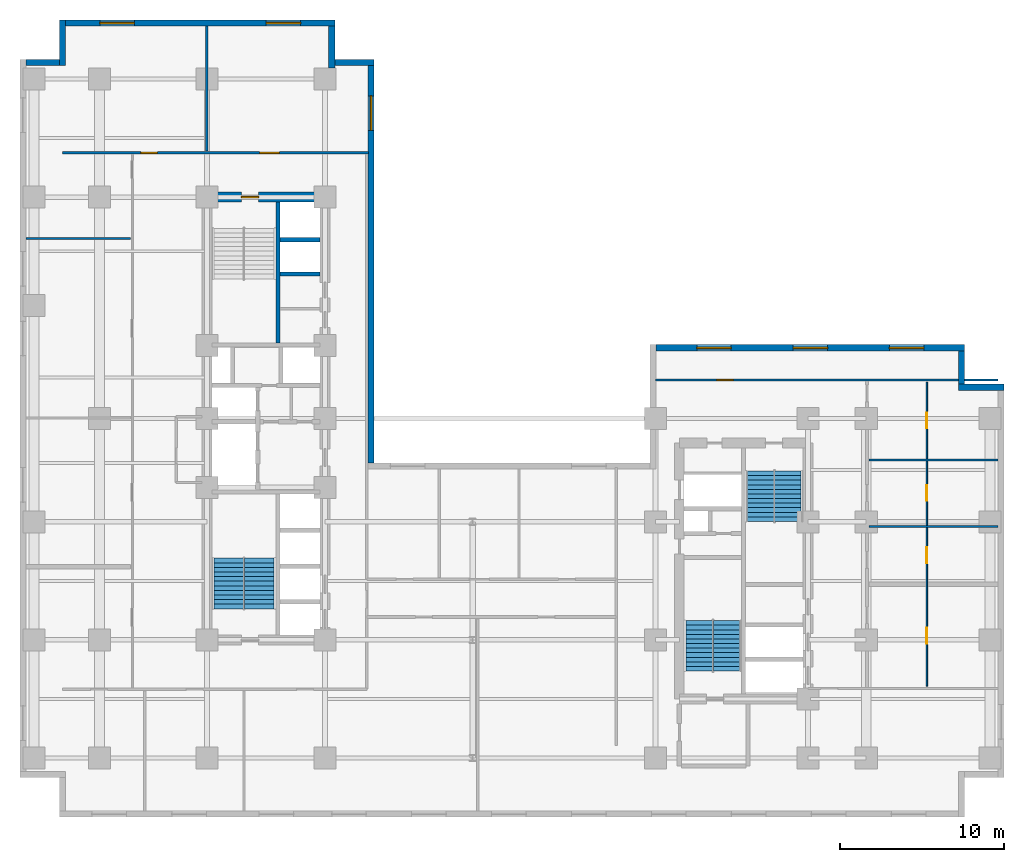
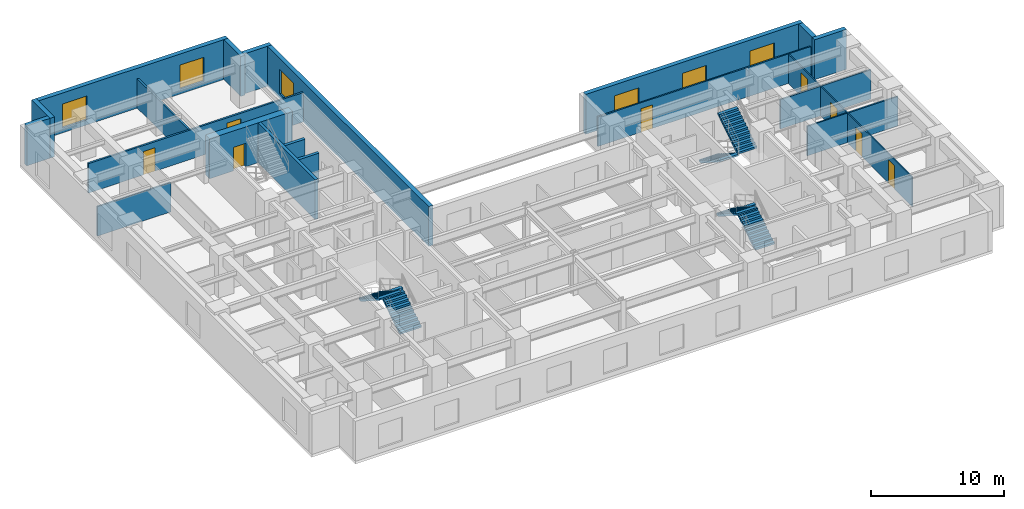
# One storey, part 6 of 10: 20 walls, 8 doors, 6 stair flights, 6 windows, 14 openings, 3 elements without a shape of their own.
"""IFC4 building model written with IfcOpenShell, lengths in metres."""

from ifc_helpers import new_model, entity, si_unit, converted_unit, direction, frame, origin_with_axes, origin_2d_with_axis, place, context, subcontext, project, spatial, polyline, rectangle, outline, extrude, material, layer, layer_set, type_object, element, fill, aggregate, save


model = new_model("IFC4")

# Units and contexts
model_context = context("Model", 3, precision=1e-05, world=origin_with_axes(), true_north=direction((0.0, 1.0)))
body_context = subcontext(model_context, "Body", "Model", "MODEL_VIEW")
ifc_project = project(units=[si_unit("LENGTHUNIT", "METRE"), si_unit("AREAUNIT", "SQUARE_METRE"), si_unit("VOLUMEUNIT", "CUBIC_METRE"), converted_unit("PLANEANGLEUNIT", "DEGREE", entity("IfcPlaneAngleMeasure", 0.017453292519943295), si_unit("PLANEANGLEUNIT", "RADIAN"), dimensions=[0, 0, 0, 0, 0, 0, 0]), si_unit("MASSUNIT", "GRAM", prefix="KILO"), si_unit("THERMODYNAMICTEMPERATUREUNIT", "KELVIN")], contexts=[model_context])

# Site, building, storey
site_placement = place(None, origin_with_axes())
site = spatial("IfcSite", under=ifc_project, at=site_placement, CompositionType="ELEMENT")
building_placement = place(site_placement, origin_with_axes())
building = spatial("IfcBuilding", under=site, at=building_placement, Name="Varnlund Millrace Tower", CompositionType="ELEMENT")
storey_placement = place(building_placement, frame((0.0, 0.0, 48.3), z_axis=(0.0, 0.0, 1.0), x_axis=(1.0, 0.0, 0.0)))
storey = spatial("IfcBuildingStorey", under=building, at=storey_placement, Name="L11", CompositionType="ELEMENT", Elevation=48.3)

# Wall, opening, door
ifc_material_1 = material(Name="Concrete C80/95", Category="concrete")
ifc_layer_1 = layer(ifc_material_1, 0.6, Name="Concrete C80/95")
ifc_layer_set_1 = layer_set([ifc_layer_1], Name="Concrete C80/95")
wall_type_1 = type_object("IfcWallType", Name="Type-CoreWall-Shear-600-C80", PredefinedType="SHEAR", material=ifc_layer_set_1)
wall_1_placement = place(storey_placement, frame((11.4, 37.8, 0.0), z_axis=(0.0, 0.0, 1.0), x_axis=(1.0, 0.0, 0.0)))
wall_1 = element("IfcWall", 1, at=wall_1_placement, inside=storey, type_object=wall_type_1, Name="Type-CoreWall-Shear-600-C80", PredefinedType="SHEAR", context=body_context, shape_type="SweptSolid", body=[
    extrude(outline(polyline([(0.0, -0.3), (7.2, -0.3), (7.2, 0.3), (0.0, 0.3), (0.0, -0.3)])), origin_with_axes(), (0.0, 0.0, 1.0), 3.66),
])
opening_1_placement = place(wall_1_placement, frame((2.625, 0.0, 0.0), z_axis=(0.0, 0.0, 1.0), x_axis=(1.0, 0.0, 0.0)))
opening_1 = element("IfcOpeningElement", 2, at=opening_1_placement, cuts=wall_1, Name="Opening L11:DR-STA2", PredefinedType="OPENING", context=body_context, shape_type="SweptSolid", body=[
    extrude(rectangle(XDim=1.05, YDim=0.62, at=origin_2d_with_axis()), origin_with_axes(), (0.0, 0.0, 1.0), 2.15),
])
ifc_material_2 = material(Name="Fire-rated hollow steel door", Category="steel")
door_type_1 = type_object("IfcDoorType", Name="Type-FireDoor-Stair-1050X2150", OperationType="NOTDEFINED", PredefinedType="DOOR", material=ifc_material_2)
door_1_placement = place(wall_1_placement, frame((2.625, 0.0, 0.0), z_axis=(0.0, 0.0, 1.0), x_axis=(1.0, 0.0, 0.0)))
door_1 = element("IfcDoor", 3, at=door_1_placement, inside=storey, type_object=door_type_1, Name="Type-FireDoor-Stair-1050X2150", OperationType="SINGLE_SWING_RIGHT", OverallHeight=2.15, OverallWidth=1.05, PredefinedType="DOOR", context=body_context, shape_type="SweptSolid", body=[
    extrude(rectangle(XDim=1.05, YDim=0.09, at=origin_2d_with_axis()), origin_with_axes(), (0.0, 0.0, 1.0), 2.15),
])
fill(opening_1, door_1)

# Wall, openings, windows
ifc_material_3 = material(Name="Precast concrete C50/60", Category="concrete")
ifc_layer_2 = layer(ifc_material_3, 0.38, Name="Precast concrete C50/60")
ifc_layer_set_2 = layer_set([ifc_layer_2], Name="Precast concrete C50/60")
wall_type_2 = type_object("IfcWallType", Name="Type-ExtWall-Precast-Tube-380", PredefinedType="SOLIDWALL", material=ifc_layer_set_2)
wall_2_placement = place(storey_placement, frame((38.78, 28.61, 0.0), z_axis=(0.0, 0.0, 1.0), x_axis=(1.0, 0.0, 0.0)))
wall_2 = element("IfcWall", 4, at=wall_2_placement, inside=storey, type_object=wall_type_2, Name="Type-ExtWall-Precast-Tube-380", PredefinedType="SOLIDWALL", context=body_context, shape_type="SweptSolid", body=[
    extrude(outline(polyline([(0.0, -0.19), (18.82, -0.19), (18.82, 0.19), (0.0, 0.19), (0.0, -0.19)])), origin_with_axes(), (0.0, 0.0, 1.0), 3.66),
])
opening_2_placement = place(wall_2_placement, frame((3.537, 0.0, 0.45), z_axis=(0.0, 0.0, 1.0), x_axis=(1.0, 0.0, 0.0)))
opening_2 = element("IfcOpeningElement", 5, at=opening_2_placement, cuts=wall_2, Name="Opening L11:WN-01", PredefinedType="OPENING", context=body_context, shape_type="SweptSolid", body=[
    extrude(rectangle(XDim=2.1, YDim=0.4, at=origin_2d_with_axis()), origin_with_axes(), (0.0, 0.0, 1.0), 2.2),
])
opening_3_placement = place(wall_2_placement, frame((9.41, 0.0, 0.45), z_axis=(0.0, 0.0, 1.0), x_axis=(1.0, 0.0, 0.0)))
opening_3 = element("IfcOpeningElement", 6, at=opening_3_placement, cuts=wall_2, Name="Opening L11:WN-02", PredefinedType="OPENING", context=body_context, shape_type="SweptSolid", body=[
    extrude(rectangle(XDim=2.1, YDim=0.4, at=origin_2d_with_axis()), origin_with_axes(), (0.0, 0.0, 1.0), 2.2),
])
opening_4_placement = place(wall_2_placement, frame((15.283, 0.0, 0.45), z_axis=(0.0, 0.0, 1.0), x_axis=(1.0, 0.0, 0.0)))
opening_4 = element("IfcOpeningElement", 7, at=opening_4_placement, cuts=wall_2, Name="Opening L11:WN-03", PredefinedType="OPENING", context=body_context, shape_type="SweptSolid", body=[
    extrude(rectangle(XDim=2.1, YDim=0.4, at=origin_2d_with_axis()), origin_with_axes(), (0.0, 0.0, 1.0), 2.2),
])
ifc_material_4 = material(Name="Argon low-e triple glazing in thermally broken bronze frame", Category="glass")
window_type = type_object("IfcWindowType", Name="Type-Window-Punched-2100X2200", PartitioningType="SINGLE_PANEL", PredefinedType="WINDOW", material=ifc_material_4)
window_1_placement = place(wall_2_placement, frame((3.537, 0.0, 0.45), z_axis=(0.0, 0.0, 1.0), x_axis=(1.0, 0.0, 0.0)))
window_1 = element("IfcWindow", 8, at=window_1_placement, inside=storey, type_object=window_type, Name="Type-Window-Punched-2100X2200", OverallHeight=2.2, OverallWidth=2.1, PredefinedType="WINDOW", context=body_context, shape_type="SweptSolid", body=[
    extrude(rectangle(XDim=2.1, YDim=0.09, at=origin_2d_with_axis()), origin_with_axes(), (0.0, 0.0, 1.0), 2.2),
])
fill(opening_2, window_1)
window_2_placement = place(wall_2_placement, frame((9.41, 0.0, 0.45), z_axis=(0.0, 0.0, 1.0), x_axis=(1.0, 0.0, 0.0)))
window_2 = element("IfcWindow", 9, at=window_2_placement, inside=storey, type_object=window_type, Name="Type-Window-Punched-2100X2200", OverallHeight=2.2, OverallWidth=2.1, PredefinedType="WINDOW", context=body_context, shape_type="SweptSolid", body=[
    extrude(rectangle(XDim=2.1, YDim=0.09, at=origin_2d_with_axis()), origin_with_axes(), (0.0, 0.0, 1.0), 2.2),
])
fill(opening_3, window_2)
window_3_placement = place(wall_2_placement, frame((15.283, 0.0, 0.45), z_axis=(0.0, 0.0, 1.0), x_axis=(1.0, 0.0, 0.0)))
window_3 = element("IfcWindow", 10, at=window_3_placement, inside=storey, type_object=window_type, Name="Type-Window-Punched-2100X2200", OverallHeight=2.2, OverallWidth=2.1, PredefinedType="WINDOW", context=body_context, shape_type="SweptSolid", body=[
    extrude(rectangle(XDim=2.1, YDim=0.09, at=origin_2d_with_axis()), origin_with_axes(), (0.0, 0.0, 1.0), 2.2),
])
fill(opening_4, window_3)

# Walls
wall_3_placement = place(storey_placement, frame((57.41, 28.42, 0.0), z_axis=(0.0, 0.0, 1.0), x_axis=(0.0, -1.0, 0.0)))
element("IfcWall", 11, at=wall_3_placement, inside=storey, type_object=wall_type_2, Name="Type-ExtWall-Precast-Tube-380", PredefinedType="SOLIDWALL", context=body_context, shape_type="SweptSolid", body=[
    extrude(outline(polyline([(0.0, -0.19), (2.02, -0.19), (2.02, 0.19), (0.0, 0.19), (0.0, -0.19)])), origin_with_axes(), (0.0, 0.0, 1.0), 3.66),
])
wall_4_placement = place(storey_placement, frame((57.22, 26.21, 0.0), z_axis=(0.0, 0.0, 1.0), x_axis=(1.0, 0.0, 0.0)))
element("IfcWall", 12, at=wall_4_placement, inside=storey, type_object=wall_type_2, Name="Type-ExtWall-Precast-Tube-380", PredefinedType="SOLIDWALL", context=body_context, shape_type="SweptSolid", body=[
    extrude(outline(polyline([(0.0, -0.19), (2.78, -0.19), (2.78, 0.19), (0.0, 0.19), (0.0, -0.19)])), origin_with_axes(), (0.0, 0.0, 1.0), 3.66),
])
wall_5_placement = place(storey_placement, frame((0.38, 46.01, 0.0), z_axis=(0.0, 0.0, 1.0), x_axis=(1.0, 0.0, 0.0)))
element("IfcWall", 13, at=wall_5_placement, inside=storey, type_object=wall_type_2, Name="Type-ExtWall-Precast-Tube-380", PredefinedType="SOLIDWALL", context=body_context, shape_type="SweptSolid", body=[
    extrude(outline(polyline([(0.0, -0.19), (2.02, -0.19), (2.02, 0.19), (0.0, 0.19), (0.0, -0.19)])), origin_with_axes(), (0.0, 0.0, 1.0), 3.66),
])
wall_6_placement = place(storey_placement, frame((2.59, 45.82, 0.0), z_axis=(0.0, 0.0, 1.0), x_axis=(0.0, 1.0, 0.0)))
element("IfcWall", 14, at=wall_6_placement, inside=storey, type_object=wall_type_2, Name="Type-ExtWall-Precast-Tube-380", PredefinedType="SOLIDWALL", context=body_context, shape_type="SweptSolid", body=[
    extrude(outline(polyline([(0.0, -0.19), (2.78, -0.19), (2.78, 0.19), (0.0, 0.19), (0.0, -0.19)])), origin_with_axes(), (0.0, 0.0, 1.0), 3.66),
])

# Wall, openings, windows
wall_7_placement = place(storey_placement, frame((2.78, 48.41, 0.0), z_axis=(0.0, 0.0, 1.0), x_axis=(1.0, 0.0, 0.0)))
wall_7 = element("IfcWall", 15, at=wall_7_placement, inside=storey, type_object=wall_type_2, Name="Type-ExtWall-Precast-Tube-380", PredefinedType="SOLIDWALL", context=body_context, shape_type="SweptSolid", body=[
    extrude(outline(polyline([(0.0, -0.19), (16.42, -0.19), (16.42, 0.19), (0.0, 0.19), (0.0, -0.19)])), origin_with_axes(), (0.0, 0.0, 1.0), 3.66),
])
opening_5_placement = place(wall_7_placement, frame((3.137, 0.0, 0.45), z_axis=(0.0, 0.0, 1.0), x_axis=(1.0, 0.0, 0.0)))
opening_5 = element("IfcOpeningElement", 16, at=opening_5_placement, cuts=wall_7, Name="Opening L11:WN-21", PredefinedType="OPENING", context=body_context, shape_type="SweptSolid", body=[
    extrude(rectangle(XDim=2.1, YDim=0.4, at=origin_2d_with_axis()), origin_with_axes(), (0.0, 0.0, 1.0), 2.2),
])
opening_6_placement = place(wall_7_placement, frame((13.283, 0.0, 0.45), z_axis=(0.0, 0.0, 1.0), x_axis=(1.0, 0.0, 0.0)))
opening_6 = element("IfcOpeningElement", 17, at=opening_6_placement, cuts=wall_7, Name="Opening L11:WN-22", PredefinedType="OPENING", context=body_context, shape_type="SweptSolid", body=[
    extrude(rectangle(XDim=2.1, YDim=0.4, at=origin_2d_with_axis()), origin_with_axes(), (0.0, 0.0, 1.0), 2.2),
])
window_4_placement = place(wall_7_placement, frame((3.137, 0.0, 0.45), z_axis=(0.0, 0.0, 1.0), x_axis=(1.0, 0.0, 0.0)))
window_4 = element("IfcWindow", 18, at=window_4_placement, inside=storey, type_object=window_type, Name="Type-Window-Punched-2100X2200", OverallHeight=2.2, OverallWidth=2.1, PredefinedType="WINDOW", context=body_context, shape_type="SweptSolid", body=[
    extrude(rectangle(XDim=2.1, YDim=0.09, at=origin_2d_with_axis()), origin_with_axes(), (0.0, 0.0, 1.0), 2.2),
])
fill(opening_5, window_4)
window_5_placement = place(wall_7_placement, frame((13.283, 0.0, 0.45), z_axis=(0.0, 0.0, 1.0), x_axis=(1.0, 0.0, 0.0)))
window_5 = element("IfcWindow", 19, at=window_5_placement, inside=storey, type_object=window_type, Name="Type-Window-Punched-2100X2200", OverallHeight=2.2, OverallWidth=2.1, PredefinedType="WINDOW", context=body_context, shape_type="SweptSolid", body=[
    extrude(rectangle(XDim=2.1, YDim=0.09, at=origin_2d_with_axis()), origin_with_axes(), (0.0, 0.0, 1.0), 2.2),
])
fill(opening_6, window_5)

# Walls
wall_8_placement = place(storey_placement, frame((19.01, 48.22, 0.0), z_axis=(0.0, 0.0, 1.0), x_axis=(0.0, -1.0, 0.0)))
element("IfcWall", 20, at=wall_8_placement, inside=storey, type_object=wall_type_2, Name="Type-ExtWall-Precast-Tube-380", PredefinedType="SOLIDWALL", context=body_context, shape_type="SweptSolid", body=[
    extrude(outline(polyline([(0.0, -0.19), (2.56, -0.19), (2.56, 0.19), (0.0, 0.19), (0.0, -0.19)])), origin_with_axes(), (0.0, 0.0, 1.0), 3.66),
])
wall_9_placement = place(storey_placement, frame((18.82, 46.01, 0.0), z_axis=(0.0, 0.0, 1.0), x_axis=(1.0, 0.0, 0.0)))
element("IfcWall", 21, at=wall_9_placement, inside=storey, type_object=wall_type_2, Name="Type-ExtWall-Precast-Tube-380", PredefinedType="SOLIDWALL", context=body_context, shape_type="SweptSolid", body=[
    extrude(outline(polyline([(0.0, -0.19), (2.78, -0.19), (2.78, 0.19), (0.0, 0.19), (0.0, -0.19)])), origin_with_axes(), (0.0, 0.0, 1.0), 3.66),
])

# Wall, opening, window
wall_10_placement = place(storey_placement, frame((21.41, 45.82, 0.0), z_axis=(0.0, 0.0, 1.0), x_axis=(0.0, -1.0, 0.0)))
wall_10 = element("IfcWall", 22, at=wall_10_placement, inside=storey, type_object=wall_type_2, Name="Type-ExtWall-Precast-Tube-380", PredefinedType="SOLIDWALL", context=body_context, shape_type="SweptSolid", body=[
    extrude(outline(polyline([(0.0, -0.19), (24.22, -0.19), (24.22, 0.19), (0.0, 0.19), (0.0, -0.19)])), origin_with_axes(), (0.0, 0.0, 1.0), 3.66),
])
opening_7_placement = place(wall_10_placement, frame((2.902, 0.0, 0.45), z_axis=(0.0, 0.0, 1.0), x_axis=(1.0, 0.0, 0.0)))
opening_7 = element("IfcOpeningElement", 23, at=opening_7_placement, cuts=wall_10, Name="Opening L11:WN-23", PredefinedType="OPENING", context=body_context, shape_type="SweptSolid", body=[
    extrude(rectangle(XDim=2.1, YDim=0.4, at=origin_2d_with_axis()), origin_with_axes(), (0.0, 0.0, 1.0), 2.2),
])
window_6_placement = place(wall_10_placement, frame((2.902, 0.0, 0.45), z_axis=(0.0, 0.0, 1.0), x_axis=(1.0, 0.0, 0.0)))
window_6 = element("IfcWindow", 24, at=window_6_placement, inside=storey, type_object=window_type, Name="Type-Window-Punched-2100X2200", OverallHeight=2.2, OverallWidth=2.1, PredefinedType="WINDOW", context=body_context, shape_type="SweptSolid", body=[
    extrude(rectangle(XDim=2.1, YDim=0.09, at=origin_2d_with_axis()), origin_with_axes(), (0.0, 0.0, 1.0), 2.2),
])
fill(opening_7, window_6)

# Wall, openings, doors
ifc_material_5 = material(Name="Fire-rated gypsum board on cold-formed steel framing", Category="steel")
ifc_layer_3 = layer(ifc_material_5, 0.16, Name="Fire-rated gypsum board on cold-formed steel framing")
ifc_layer_set_3 = layer_set([ifc_layer_3], Name="Fire-rated gypsum board on cold-formed steel framing")
wall_type_3 = type_object("IfcWallType", Name="Type-Partition-Corridor-160", PredefinedType="PARTITIONING", material=ifc_layer_set_3)
wall_11_placement = place(storey_placement, frame((2.6, 40.5, 0.0), z_axis=(0.0, 0.0, 1.0), x_axis=(1.0, 0.0, 0.0)))
wall_11 = element("IfcWall", 25, at=wall_11_placement, inside=storey, type_object=wall_type_3, Name="Type-Partition-Corridor-160", PredefinedType="PARTITIONING", context=body_context, shape_type="SweptSolid", body=[
    extrude(outline(polyline([(0.0, -0.08), (18.65, -0.08), (18.65, 0.08), (0.0, 0.08), (0.0, -0.08)])), origin_with_axes(), (0.0, 0.0, 1.0), 2.7),
])
opening_8_placement = place(wall_11_placement, frame((5.275, 0.0, 0.0), z_axis=(0.0, 0.0, 1.0), x_axis=(1.0, 0.0, 0.0)))
opening_8 = element("IfcOpeningElement", 26, at=opening_8_placement, cuts=wall_11, Name="Opening L11:DR-WAN-01", PredefinedType="OPENING", context=body_context, shape_type="SweptSolid", body=[
    extrude(rectangle(XDim=1.0, YDim=0.18, at=origin_2d_with_axis()), origin_with_axes(), (0.0, 0.0, 1.0), 2.15),
])
opening_9_placement = place(wall_11_placement, frame((12.61, 0.0, 0.0), z_axis=(0.0, 0.0, 1.0), x_axis=(1.0, 0.0, 0.0)))
opening_9 = element("IfcOpeningElement", 27, at=opening_9_placement, cuts=wall_11, Name="Opening L11:DR-WAN-02", PredefinedType="OPENING", context=body_context, shape_type="SweptSolid", body=[
    extrude(rectangle(XDim=1.2, YDim=0.18, at=origin_2d_with_axis()), origin_with_axes(), (0.0, 0.0, 1.0), 2.2),
])
ifc_material_6 = material(Name="Wide executive white oak acoustic door")
door_type_2 = type_object("IfcDoorType", Name="Type-IntDoor-Exec-1200X2200", OperationType="NOTDEFINED", PredefinedType="DOOR", material=ifc_material_6)
door_2_placement = place(wall_11_placement, frame((12.61, 0.0, 0.0), z_axis=(0.0, 0.0, 1.0), x_axis=(1.0, 0.0, 0.0)))
door_2 = element("IfcDoor", 28, at=door_2_placement, inside=storey, type_object=door_type_2, Name="Type-IntDoor-Exec-1200X2200", OperationType="SINGLE_SWING_RIGHT", OverallHeight=2.2, OverallWidth=1.2, PredefinedType="DOOR", context=body_context, shape_type="SweptSolid", body=[
    extrude(rectangle(XDim=1.2, YDim=0.09, at=origin_2d_with_axis()), origin_with_axes(), (0.0, 0.0, 1.0), 2.2),
])
fill(opening_9, door_2)
ifc_material_7 = material(Name="Solid-core white oak and bronze frame door")
door_type_3 = type_object("IfcDoorType", Name="Type-IntDoor-Office-1000X2150", OperationType="NOTDEFINED", PredefinedType="DOOR", material=ifc_material_7)
door_3_placement = place(wall_11_placement, frame((5.275, 0.0, 0.0), z_axis=(0.0, 0.0, 1.0), x_axis=(1.0, 0.0, 0.0)))
door_3 = element("IfcDoor", 29, at=door_3_placement, inside=storey, type_object=door_type_3, Name="Type-IntDoor-Office-1000X2150", OperationType="SINGLE_SWING_LEFT", OverallHeight=2.15, OverallWidth=1.0, PredefinedType="DOOR", context=body_context, shape_type="SweptSolid", body=[
    extrude(rectangle(XDim=1.0, YDim=0.09, at=origin_2d_with_axis()), origin_with_axes(), (0.0, 0.0, 1.0), 2.15),
])
fill(opening_8, door_3)

# Wall
ifc_material_8 = material(Name="Acoustic STC-50 gypsum board partition", Category="gypsum")
ifc_layer_4 = layer(ifc_material_8, 0.15, Name="Acoustic STC-50 gypsum board partition")
ifc_layer_set_4 = layer_set([ifc_layer_4], Name="Acoustic STC-50 gypsum board partition")
wall_type_4 = type_object("IfcWallType", Name="Type-Partition-Demising-150", PredefinedType="PARTITIONING", material=ifc_layer_set_4)
wall_12_placement = place(storey_placement, frame((11.4, 40.6, 0.0), z_axis=(0.0, 0.0, 1.0), x_axis=(0.0, 1.0, 0.0)))
element("IfcWall", 30, at=wall_12_placement, inside=storey, type_object=wall_type_4, Name="Type-Partition-Demising-150", PredefinedType="PARTITIONING", context=body_context, shape_type="SweptSolid", body=[
    extrude(outline(polyline([(0.0, -0.075), (7.64, -0.075), (7.64, 0.075), (0.0, 0.075), (0.0, -0.075)])), origin_with_axes(), (0.0, 0.0, 1.0), 2.7),
])

# Wall, openings, doors
ifc_material_9 = material(Name="Architectural bronze and acoustic glass office front", Category="glass")
ifc_layer_5 = layer(ifc_material_9, 0.1, Name="Architectural bronze and acoustic glass office front")
ifc_layer_set_5 = layer_set([ifc_layer_5], Name="Architectural bronze and acoustic glass office front")
wall_type_5 = type_object("IfcWallType", Name="Type-Partition-Glazed-100", PredefinedType="PARTITIONING", material=ifc_layer_set_5)
wall_13_placement = place(storey_placement, frame((55.3, 7.98, 0.0), z_axis=(0.0, 0.0, 1.0), x_axis=(0.0, 1.0, 0.0)))
wall_13 = element("IfcWall", 31, at=wall_13_placement, inside=storey, type_object=wall_type_5, Name="Type-Partition-Glazed-100", PredefinedType="PARTITIONING", context=body_context, shape_type="SweptSolid", body=[
    extrude(outline(polyline([(0.0, -0.05), (18.54, -0.05), (18.54, 0.05), (0.0, 0.05), (0.0, -0.05)])), origin_with_axes(), (0.0, 0.0, 1.0), 2.7),
])
opening_10_placement = place(wall_13_placement, frame((3.073, 0.0, 0.0), z_axis=(0.0, 0.0, 1.0), x_axis=(1.0, 0.0, 0.0)))
opening_10 = element("IfcOpeningElement", 32, at=opening_10_placement, cuts=wall_13, Name="Opening L11:DR-WB-S01", PredefinedType="OPENING", context=body_context, shape_type="SweptSolid", body=[
    extrude(rectangle(XDim=0.95, YDim=0.12, at=origin_2d_with_axis()), origin_with_axes(), (0.0, 0.0, 1.0), 2.15),
])
opening_11_placement = place(wall_13_placement, frame((7.9805, 0.0, 0.0), z_axis=(0.0, 0.0, 1.0), x_axis=(1.0, 0.0, 0.0)))
opening_11 = element("IfcOpeningElement", 33, at=opening_11_placement, cuts=wall_13, Name="Opening L11:DR-WB-S02", PredefinedType="OPENING", context=body_context, shape_type="SweptSolid", body=[
    extrude(rectangle(XDim=0.95, YDim=0.12, at=origin_2d_with_axis()), origin_with_axes(), (0.0, 0.0, 1.0), 2.15),
])
opening_12_placement = place(wall_13_placement, frame((11.768, 0.0, 0.0), z_axis=(0.0, 0.0, 1.0), x_axis=(1.0, 0.0, 0.0)))
opening_12 = element("IfcOpeningElement", 34, at=opening_12_placement, cuts=wall_13, Name="Opening L11:DR-WB-S03", PredefinedType="OPENING", context=body_context, shape_type="SweptSolid", body=[
    extrude(rectangle(XDim=0.95, YDim=0.12, at=origin_2d_with_axis()), origin_with_axes(), (0.0, 0.0, 1.0), 2.15),
])
opening_13_placement = place(wall_13_placement, frame((16.2005, 0.0, 0.0), z_axis=(0.0, 0.0, 1.0), x_axis=(1.0, 0.0, 0.0)))
opening_13 = element("IfcOpeningElement", 35, at=opening_13_placement, cuts=wall_13, Name="Opening L11:DR-WB-S04", PredefinedType="OPENING", context=body_context, shape_type="SweptSolid", body=[
    extrude(rectangle(XDim=0.95, YDim=0.12, at=origin_2d_with_axis()), origin_with_axes(), (0.0, 0.0, 1.0), 2.15),
])
ifc_material_10 = material(Name="Solid-core acoustic office door")
door_type_4 = type_object("IfcDoorType", Name="Type-IntDoor-Tenant-950X2150", OperationType="NOTDEFINED", PredefinedType="DOOR", material=ifc_material_10)
door_4_placement = place(wall_13_placement, frame((3.073, 0.0, 0.0), z_axis=(0.0, 0.0, 1.0), x_axis=(1.0, 0.0, 0.0)))
door_4 = element("IfcDoor", 36, at=door_4_placement, inside=storey, type_object=door_type_4, Name="Type-IntDoor-Tenant-950X2150", OperationType="SINGLE_SWING_LEFT", OverallHeight=2.15, OverallWidth=0.95, PredefinedType="DOOR", context=body_context, shape_type="SweptSolid", body=[
    extrude(rectangle(XDim=0.95, YDim=0.06, at=origin_2d_with_axis()), origin_with_axes(), (0.0, 0.0, 1.0), 2.15),
])
fill(opening_10, door_4)
door_5_placement = place(wall_13_placement, frame((7.9805, 0.0, 0.0), z_axis=(0.0, 0.0, 1.0), x_axis=(1.0, 0.0, 0.0)))
door_5 = element("IfcDoor", 37, at=door_5_placement, inside=storey, type_object=door_type_4, Name="Type-IntDoor-Tenant-950X2150", OperationType="SINGLE_SWING_LEFT", OverallHeight=2.15, OverallWidth=0.95, PredefinedType="DOOR", context=body_context, shape_type="SweptSolid", body=[
    extrude(rectangle(XDim=0.95, YDim=0.06, at=origin_2d_with_axis()), origin_with_axes(), (0.0, 0.0, 1.0), 2.15),
])
fill(opening_11, door_5)
door_6_placement = place(wall_13_placement, frame((11.768, 0.0, 0.0), z_axis=(0.0, 0.0, 1.0), x_axis=(1.0, 0.0, 0.0)))
door_6 = element("IfcDoor", 38, at=door_6_placement, inside=storey, type_object=door_type_4, Name="Type-IntDoor-Tenant-950X2150", OperationType="SINGLE_SWING_LEFT", OverallHeight=2.15, OverallWidth=0.95, PredefinedType="DOOR", context=body_context, shape_type="SweptSolid", body=[
    extrude(rectangle(XDim=0.95, YDim=0.06, at=origin_2d_with_axis()), origin_with_axes(), (0.0, 0.0, 1.0), 2.15),
])
fill(opening_12, door_6)
door_7_placement = place(wall_13_placement, frame((16.2005, 0.0, 0.0), z_axis=(0.0, 0.0, 1.0), x_axis=(1.0, 0.0, 0.0)))
door_7 = element("IfcDoor", 39, at=door_7_placement, inside=storey, type_object=door_type_4, Name="Type-IntDoor-Tenant-950X2150", OperationType="SINGLE_SWING_LEFT", OverallHeight=2.15, OverallWidth=0.95, PredefinedType="DOOR", context=body_context, shape_type="SweptSolid", body=[
    extrude(rectangle(XDim=0.95, YDim=0.06, at=origin_2d_with_axis()), origin_with_axes(), (0.0, 0.0, 1.0), 2.15),
])
fill(opening_13, door_7)

# Wall
ifc_material_11 = material(Name="Gypsum board tenant partition", Category="gypsum")
ifc_layer_6 = layer(ifc_material_11, 0.125, Name="Gypsum board tenant partition")
ifc_layer_set_6 = layer_set([ifc_layer_6], Name="Gypsum board tenant partition")
wall_type_6 = type_object("IfcWallType", Name="Type-Partition-Tenant-125", PredefinedType="PARTITIONING", material=ifc_layer_set_6)
wall_14_placement = place(storey_placement, frame((0.375, 35.27, 0.0), z_axis=(0.0, 0.0, 1.0), x_axis=(1.0, 0.0, 0.0)))
element("IfcWall", 40, at=wall_14_placement, inside=storey, type_object=wall_type_6, Name="Type-Partition-Tenant-125", PredefinedType="PARTITIONING", context=body_context, shape_type="SweptSolid", body=[
    extrude(outline(polyline([(0.0, -0.0625), (6.355, -0.0625), (6.355, 0.0625), (0.0, 0.0625), (0.0, -0.0625)])), origin_with_axes(), (0.0, 0.0, 1.0), 2.7),
])

# Wall, opening, door
wall_15_placement = place(storey_placement, frame((38.76, 26.65, 0.0), z_axis=(0.0, 0.0, 1.0), x_axis=(1.0, 0.0, 0.0)))
wall_15 = element("IfcWall", 41, at=wall_15_placement, inside=storey, type_object=wall_type_6, Name="Type-Partition-Tenant-125", PredefinedType="PARTITIONING", context=body_context, shape_type="SweptSolid", body=[
    extrude(outline(polyline([(0.0, -0.0625), (20.88, -0.0625), (20.88, 0.0625), (0.0, 0.0625), (0.0, -0.0625)])), origin_with_axes(), (0.0, 0.0, 1.0), 2.7),
])
opening_14_placement = place(wall_15_placement, frame((4.24, 0.0, 0.0), z_axis=(0.0, 0.0, 1.0), x_axis=(1.0, 0.0, 0.0)))
opening_14 = element("IfcOpeningElement", 42, at=opening_14_placement, cuts=wall_15, Name="Opening L11:DR-WBN-01", PredefinedType="OPENING", context=body_context, shape_type="SweptSolid", body=[
    extrude(rectangle(XDim=1.0, YDim=0.145, at=origin_2d_with_axis()), origin_with_axes(), (0.0, 0.0, 1.0), 2.15),
])
door_8_placement = place(wall_15_placement, frame((4.24, 0.0, 0.0), z_axis=(0.0, 0.0, 1.0), x_axis=(1.0, 0.0, 0.0)))
door_8 = element("IfcDoor", 43, at=door_8_placement, inside=storey, type_object=door_type_3, Name="Type-IntDoor-Office-1000X2150", OperationType="SINGLE_SWING_RIGHT", OverallHeight=2.15, OverallWidth=1.0, PredefinedType="DOOR", context=body_context, shape_type="SweptSolid", body=[
    extrude(rectangle(XDim=1.0, YDim=0.075, at=origin_2d_with_axis()), origin_with_axes(), (0.0, 0.0, 1.0), 2.15),
])
fill(opening_14, door_8)

# Walls
for number, where, z_axis, x_axis, name in (
    (44, (51.77, 17.725, 0.0), (0.0, 0.0, 1.0), (1.0, 0.0, 0.0), "Type-Partition-Tenant-125"),
    (45, (51.77, 21.771, 0.0), (0.0, 0.0, 1.0), (1.0, 0.0, 0.0), "Type-Partition-Tenant-125"),
):
    element("IfcWall", number, at=place(storey_placement, frame(where, z_axis=z_axis, x_axis=x_axis)), inside=storey, type_object=wall_type_6, Name=name, PredefinedType="PARTITIONING", context=body_context, shape_type="SweptSolid", body=[
        extrude(outline(polyline([(0.0, -0.0625), (7.855, -0.0625), (7.855, 0.0625), (0.0, 0.0625), (0.0, -0.0625)])), origin_with_axes(), (0.0, 0.0, 1.0), 2.7),
    ])
ifc_material_12 = material(Name="Concrete C60/75", Category="concrete")
ifc_layer_7 = layer(ifc_material_12, 0.25, Name="Concrete C60/75")
ifc_layer_set_7 = layer_set([ifc_layer_7], Name="Concrete C60/75")
wall_type_7 = type_object("IfcWallType", Name="Type-ShaftWall-Fire-250", PredefinedType="SOLIDWALL", material=ifc_layer_set_7)
for number, where, z_axis, x_axis, name in (
    (46, (15.84, 33.1, 0.0), (0.0, 0.0, 1.0), (1.0, 0.0, 0.0), "Type-ShaftWall-Fire-250"),
    (47, (15.84, 35.2, 0.0), (0.0, 0.0, 1.0), (1.0, 0.0, 0.0), "Type-ShaftWall-Fire-250"),
):
    element("IfcWall", number, at=place(storey_placement, frame(where, z_axis=z_axis, x_axis=x_axis)), inside=storey, type_object=wall_type_7, Name=name, PredefinedType="SOLIDWALL", context=body_context, shape_type="SweptSolid", body=[
        extrude(outline(polyline([(0.0, -0.125), (2.46, -0.125), (2.46, 0.125), (0.0, 0.125), (0.0, -0.125)])), origin_with_axes(), (0.0, 0.0, 1.0), 2.7),
    ])
wall_type_8 = type_object("IfcWallType", Name="Type-StairWall-Shear-250", PredefinedType="SHEAR", material=ifc_layer_set_7)
wall_16_placement = place(storey_placement, frame((15.725, 28.9, 0.0), z_axis=(0.0, 0.0, 1.0), x_axis=(0.0, 1.0, 0.0)))
element("IfcWall", 48, at=wall_16_placement, inside=storey, type_object=wall_type_8, Name="Type-StairWall-Shear-250", PredefinedType="SHEAR", context=body_context, shape_type="SweptSolid", body=[
    extrude(outline(polyline([(0.0, -0.125), (8.6, -0.125), (8.6, 0.125), (0.0, 0.125), (0.0, -0.125)])), origin_with_axes(), (0.0, 0.0, 1.0), 3.66),
])

# Stair, stair flights
ifc_material_13 = material(Name="Concrete C50/60", Category="concrete")
stair_type_1 = type_object("IfcStairType", Name="Type-Stair-Dogleg-165-390", PredefinedType="HALF_TURN_STAIR", material=ifc_material_13)
stair_1_placement = place(storey_placement, origin_with_axes())
stair_1 = element("IfcStair", 49, at=stair_1_placement, inside=storey, type_object=stair_type_1, Name="Type-Stair-Dogleg-165-390", PredefinedType="HALF_TURN_STAIR")
stair_flight_type_1 = type_object("IfcStairFlightType", Name="Type-Dogleg-Run-165-390", PredefinedType="STRAIGHT", material=ifc_material_3)
stair_flight_1_placement = place(storey_placement, frame((42.225, 8.9, 0.0), z_axis=(1.0, 0.0, 0.0), x_axis=(0.0, 1.0, 0.0)))
stair_flight_1 = element("IfcStairFlight", 50, at=stair_flight_1_placement, type_object=stair_flight_type_1, Name="ST-B1 flight 1", NumberOfRisers=11, NumberOfTreads=11, PredefinedType="STRAIGHT", RiserHeight=0.177273, TreadLength=0.28, context=body_context, shape_type="SweptSolid", body=[
    extrude(outline(polyline([(0.0, 0.0), (0.0, 0.177273), (0.28, 0.177273), (0.28, 0.354545), (0.56, 0.354545), (0.56, 0.531818), (0.84, 0.531818), (0.84, 0.709091), (1.12, 0.709091), (1.12, 0.886364), (1.4, 0.886364), (1.4, 1.063636), (1.68, 1.063636), (1.68, 1.240909), (1.96, 1.240909), (1.96, 1.418182), (2.24, 1.418182), (2.24, 1.595454), (2.52, 1.595454), (2.52, 1.772727), (2.8, 1.772727), (2.8, 1.95), (3.08, 1.95), (3.08, 1.8), (0.28, 0.0), (0.0, 0.0)])), origin_with_axes(), (0.0, 0.0, 1.0), 1.65),
])
stair_flight_2_placement = place(storey_placement, frame((42.275, 11.98, 1.95), z_axis=(-1.0, 0.0, 0.0), x_axis=(0.0, -1.0, 0.0)))
stair_flight_2 = element("IfcStairFlight", 51, at=stair_flight_2_placement, type_object=stair_flight_type_1, Name="ST-B1 flight 2", NumberOfRisers=11, NumberOfTreads=11, PredefinedType="STRAIGHT", RiserHeight=0.177273, TreadLength=0.28, context=body_context, shape_type="SweptSolid", body=[
    extrude(outline(polyline([(0.0, 0.0), (0.0, 0.177273), (0.28, 0.177273), (0.28, 0.354545), (0.56, 0.354545), (0.56, 0.531818), (0.84, 0.531818), (0.84, 0.709091), (1.12, 0.709091), (1.12, 0.886364), (1.4, 0.886364), (1.4, 1.063636), (1.68, 1.063636), (1.68, 1.240909), (1.96, 1.240909), (1.96, 1.418182), (2.24, 1.418182), (2.24, 1.595454), (2.52, 1.595454), (2.52, 1.772727), (2.8, 1.772727), (2.8, 1.95), (3.08, 1.95), (3.08, 1.8), (0.28, 0.0), (0.0, 0.0)])), origin_with_axes(), (0.0, 0.0, 1.0), 1.65),
])
aggregate(stair_1, [stair_flight_1, stair_flight_2])

stair_2_placement = place(storey_placement, origin_with_axes())
stair_2 = element("IfcStair", 52, at=stair_2_placement, inside=storey, type_object=stair_type_1, Name="Type-Stair-Dogleg-165-390", PredefinedType="HALF_TURN_STAIR")
stair_flight_3_placement = place(storey_placement, frame((46.025, 21.1, 0.0), z_axis=(-1.0, 0.0, 0.0), x_axis=(0.0, -1.0, 0.0)))
stair_flight_3 = element("IfcStairFlight", 53, at=stair_flight_3_placement, type_object=stair_flight_type_1, Name="ST-B2 flight 1", NumberOfRisers=11, NumberOfTreads=11, PredefinedType="STRAIGHT", RiserHeight=0.177273, TreadLength=0.28, context=body_context, shape_type="SweptSolid", body=[
    extrude(outline(polyline([(0.0, 0.0), (0.0, 0.177273), (0.28, 0.177273), (0.28, 0.354545), (0.56, 0.354545), (0.56, 0.531818), (0.84, 0.531818), (0.84, 0.709091), (1.12, 0.709091), (1.12, 0.886364), (1.4, 0.886364), (1.4, 1.063636), (1.68, 1.063636), (1.68, 1.240909), (1.96, 1.240909), (1.96, 1.418182), (2.24, 1.418182), (2.24, 1.595454), (2.52, 1.595454), (2.52, 1.772727), (2.8, 1.772727), (2.8, 1.95), (3.08, 1.95), (3.08, 1.8), (0.28, 0.0), (0.0, 0.0)])), origin_with_axes(), (0.0, 0.0, 1.0), 1.65),
])
stair_flight_4_placement = place(storey_placement, frame((45.975, 18.02, 1.95), z_axis=(1.0, 0.0, 0.0), x_axis=(0.0, 1.0, 0.0)))
stair_flight_4 = element("IfcStairFlight", 54, at=stair_flight_4_placement, type_object=stair_flight_type_1, Name="ST-B2 flight 2", NumberOfRisers=11, NumberOfTreads=11, PredefinedType="STRAIGHT", RiserHeight=0.177273, TreadLength=0.28, context=body_context, shape_type="SweptSolid", body=[
    extrude(outline(polyline([(0.0, 0.0), (0.0, 0.177273), (0.28, 0.177273), (0.28, 0.354545), (0.56, 0.354545), (0.56, 0.531818), (0.84, 0.531818), (0.84, 0.709091), (1.12, 0.709091), (1.12, 0.886364), (1.4, 0.886364), (1.4, 1.063636), (1.68, 1.063636), (1.68, 1.240909), (1.96, 1.240909), (1.96, 1.418182), (2.24, 1.418182), (2.24, 1.595454), (2.52, 1.595454), (2.52, 1.772727), (2.8, 1.772727), (2.8, 1.95), (3.08, 1.95), (3.08, 1.8), (0.28, 0.0), (0.0, 0.0)])), origin_with_axes(), (0.0, 0.0, 1.0), 1.65),
])
aggregate(stair_2, [stair_flight_3, stair_flight_4])

stair_type_2 = type_object("IfcStairType", Name="Type-Stair-Dogleg-185-390", PredefinedType="HALF_TURN_STAIR", material=ifc_material_13)
stair_3_placement = place(storey_placement, origin_with_axes())
stair_3 = element("IfcStair", 55, at=stair_3_placement, inside=storey, type_object=stair_type_2, Name="Type-Stair-Dogleg-185-390", PredefinedType="HALF_TURN_STAIR")
stair_flight_type_2 = type_object("IfcStairFlightType", Name="Type-Dogleg-Run-185-390", PredefinedType="STRAIGHT", material=ifc_material_3)
stair_flight_5_placement = place(storey_placement, frame((13.625, 12.7, 0.0), z_axis=(1.0, 0.0, 0.0), x_axis=(0.0, 1.0, 0.0)))
stair_flight_5 = element("IfcStairFlight", 56, at=stair_flight_5_placement, type_object=stair_flight_type_2, Name="ST-A1 flight 1", NumberOfRisers=11, NumberOfTreads=11, PredefinedType="STRAIGHT", RiserHeight=0.177273, TreadLength=0.28, context=body_context, shape_type="SweptSolid", body=[
    extrude(outline(polyline([(0.0, 0.0), (0.0, 0.177273), (0.28, 0.177273), (0.28, 0.354545), (0.56, 0.354545), (0.56, 0.531818), (0.84, 0.531818), (0.84, 0.709091), (1.12, 0.709091), (1.12, 0.886364), (1.4, 0.886364), (1.4, 1.063636), (1.68, 1.063636), (1.68, 1.240909), (1.96, 1.240909), (1.96, 1.418182), (2.24, 1.418182), (2.24, 1.595454), (2.52, 1.595454), (2.52, 1.772727), (2.8, 1.772727), (2.8, 1.95), (3.08, 1.95), (3.08, 1.8), (0.28, 0.0), (0.0, 0.0)])), origin_with_axes(), (0.0, 0.0, 1.0), 1.85),
])
stair_flight_6_placement = place(storey_placement, frame((13.675, 15.78, 1.95), z_axis=(-1.0, 0.0, 0.0), x_axis=(0.0, -1.0, 0.0)))
stair_flight_6 = element("IfcStairFlight", 57, at=stair_flight_6_placement, type_object=stair_flight_type_2, Name="ST-A1 flight 2", NumberOfRisers=11, NumberOfTreads=11, PredefinedType="STRAIGHT", RiserHeight=0.177273, TreadLength=0.28, context=body_context, shape_type="SweptSolid", body=[
    extrude(outline(polyline([(0.0, 0.0), (0.0, 0.177273), (0.28, 0.177273), (0.28, 0.354545), (0.56, 0.354545), (0.56, 0.531818), (0.84, 0.531818), (0.84, 0.709091), (1.12, 0.709091), (1.12, 0.886364), (1.4, 0.886364), (1.4, 1.063636), (1.68, 1.063636), (1.68, 1.240909), (1.96, 1.240909), (1.96, 1.418182), (2.24, 1.418182), (2.24, 1.595454), (2.52, 1.595454), (2.52, 1.772727), (2.8, 1.772727), (2.8, 1.95), (3.08, 1.95), (3.08, 1.8), (0.28, 0.0), (0.0, 0.0)])), origin_with_axes(), (0.0, 0.0, 1.0), 1.85),
])
aggregate(stair_3, [stair_flight_5, stair_flight_6])

save(model, "model.ifc")
